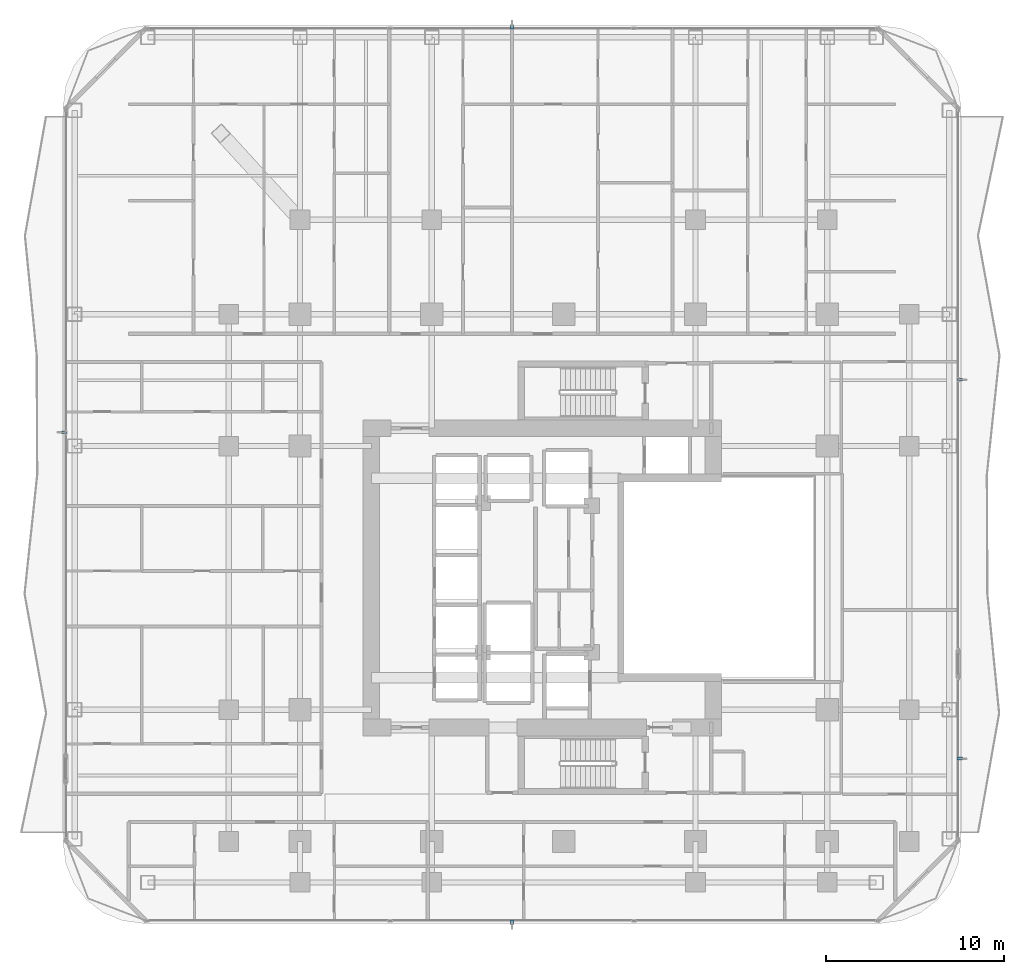
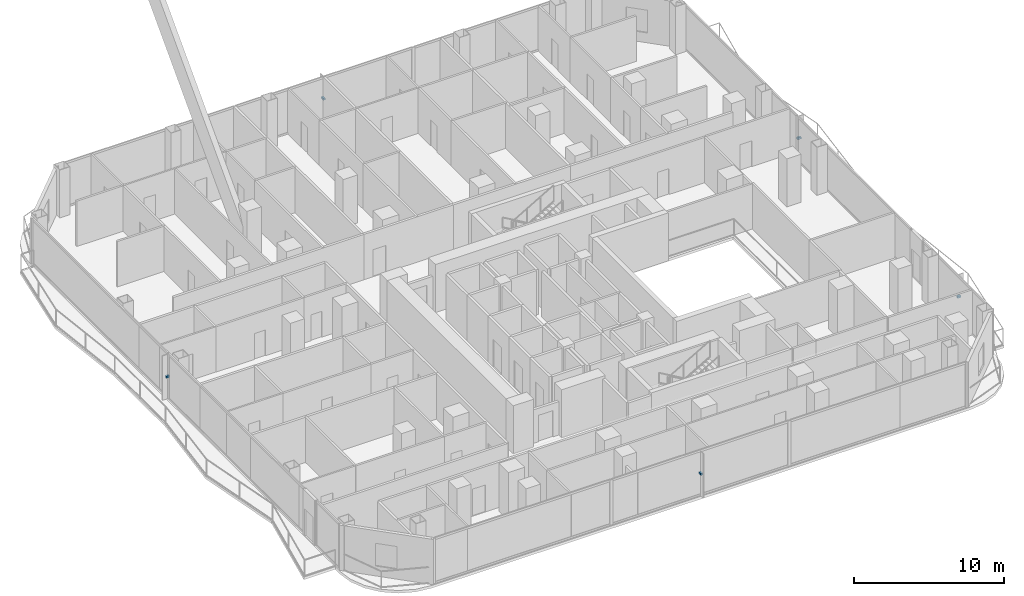
# One storey, part 24 of 28: 5 discrete accessories.
"""IFC4 building model written with IfcOpenShell, lengths in metres."""

from ifc_helpers import new_model, si_unit, direction, frame, origin, origin_2d, place, context, subcontext, project, spatial, rectangle, extrude, material, type_object, element, save


model = new_model("IFC4")

# Units and contexts
model_context = context("Model", 3, precision=1e-05, world=origin(), true_north=direction((0.0, 1.0)))
body_context = subcontext(model_context, "Body", "Model", "MODEL_VIEW")
ifc_project = project(units=[si_unit("LENGTHUNIT", "METRE"), si_unit("AREAUNIT", "SQUARE_METRE"), si_unit("VOLUMEUNIT", "CUBIC_METRE"), si_unit("PLANEANGLEUNIT", "RADIAN"), si_unit("MASSUNIT", "GRAM", prefix="KILO")], contexts=[model_context])

# Site, building, storey
site_placement = place(None, origin())
site = spatial("IfcSite", under=ifc_project, at=site_placement, CompositionType="ELEMENT")
building_placement = place(site_placement, origin())
building = spatial("IfcBuilding", under=site, at=building_placement, Name="Khorvyn Point Tower", CompositionType="ELEMENT")
storey_placement = place(building_placement, frame((0.0, 0.0, 89.10009765625)))
storey = spatial("IfcBuildingStorey", under=building, at=storey_placement, Name="L22", CompositionType="ELEMENT", Elevation=89.10009765625)

# Discrete accessories
ifc_material = material(Name="Stainless steel 1.4401", Category="steel")
discrete_accessory_type = type_object("IfcDiscreteAccessoryType", Name="Stainless Steel 316 Facade Fin Fixing Bracket", PredefinedType="BRACKET", material=ifc_material)
for number, where, z_axis, x_axis, name in (
    (1, (-2.89990234375, -19.35009765625, 1.759765625), (0.0, 0.0, 1.0), (-1.0, 0.0, 0.0), "L22 Solar Fin Fixing Bracket 01"),
    (2, (-2.89990234375, 30.949951171875, 1.759765625), (0.0, 0.0, 1.0), (1.0, 0.0, 0.0), "L22 Solar Fin Fixing Bracket 01"),
    (3, (-28.050048828125, 8.175048828125, 1.759765625), (0.0, 0.0, 1.0), (0.0, 1.0, 0.0), "L22 Solar Fin Fixing Bracket 01"),
    (4, (22.25, 11.1201171875, 1.759765625), (0.0, 0.0, 1.0), (0.0, -1.0, 0.0), "L22 Solar Fin Fixing Bracket 01"),
    (5, (22.25, -10.14990234375, 1.759765625), (0.0, 0.0, 1.0), (0.0, -1.0, 0.0), "L22 Solar Fin Fixing Bracket 01"),
):
    element("IfcDiscreteAccessory", number, at=place(storey_placement, frame(where, z_axis=z_axis, x_axis=x_axis)), inside=storey, type_object=discrete_accessory_type, Name=name, PredefinedType="BRACKET", context=body_context, shape_type="SweptSolid", body=[
        extrude(rectangle(XDim=0.159912109375, YDim=0.260009765625, at=origin_2d()), origin(), (0.0, 0.0, 1.0), 0.159912109375),
    ])

save(model, "model.ifc")
